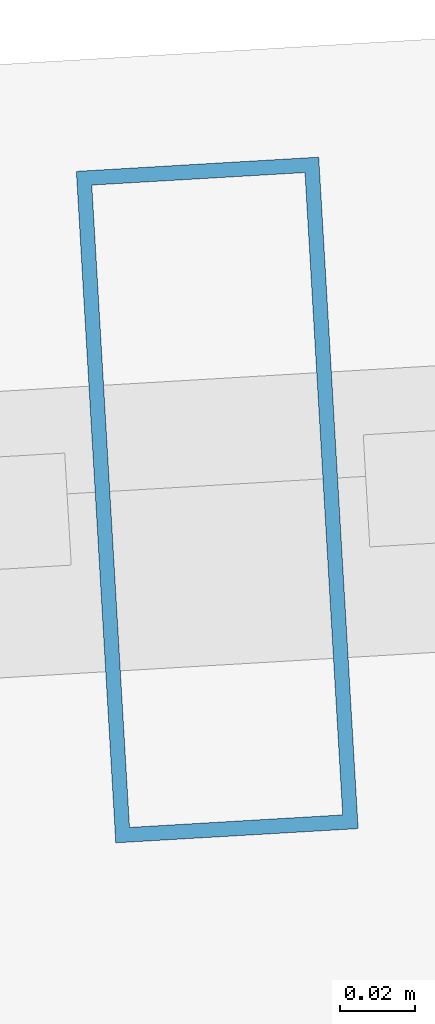
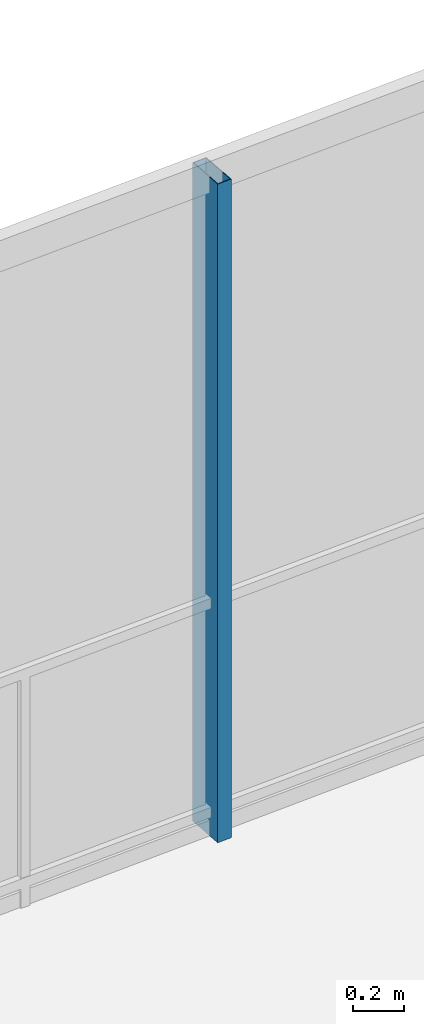
# One storey, part 19 of 30: 1 member, 1 element without a shape of its own.
"""IFC4 building model written with IfcOpenShell, lengths in metres."""

from ifc_helpers import new_model, si_unit, direction, frame, origin, origin_2d, place, context, subcontext, project, spatial, hollow_rectangle, extrude, material, layer, layer_set, material_profile, profile_set, type_object, element, aggregate, save


model = new_model("IFC4")

# Units and contexts
model_context = context("Model", 3, precision=1e-05, world=origin(), true_north=direction((0.0, 1.0)))
body_context = subcontext(model_context, "Body", "Model", "MODEL_VIEW")
ifc_project = project(units=[si_unit("LENGTHUNIT", "METRE"), si_unit("AREAUNIT", "SQUARE_METRE"), si_unit("VOLUMEUNIT", "CUBIC_METRE"), si_unit("PLANEANGLEUNIT", "RADIAN"), si_unit("MASSUNIT", "GRAM", prefix="KILO")], contexts=[model_context])

# Site, building, storey
site_placement = place(None, origin())
site = spatial("IfcSite", under=ifc_project, at=site_placement, CompositionType="ELEMENT")
building_placement = place(site_placement, origin())
building = spatial("IfcBuilding", under=site, at=building_placement, Name="Qarnah Convention Tower", CompositionType="ELEMENT")
storey_placement = place(building_placement, frame((0.0, 0.0, 79.800048828125)))
storey = spatial("IfcBuildingStorey", under=building, at=storey_placement, Name="L20", CompositionType="ELEMENT", Elevation=79.800048828125)

# Curtain wall, member
ifc_material_1 = material(Name="Tempered Low-E dark glass", Category="glass")
ifc_layer = layer(ifc_material_1, 0.169921875)
ifc_layer_set = layer_set([ifc_layer], Name="Tempered Low-E dark glass")
curtain_wall_type = type_object("IfcCurtainWallType", Name="CWS-02", PredefinedType="NOTDEFINED", material=ifc_layer_set)
curtain_wall_placement = place(storey_placement, origin())
curtain_wall = element("IfcCurtainWall", 1, at=curtain_wall_placement, inside=storey, type_object=curtain_wall_type, Name="L20 unitised curtain wall CW-L20-F1", PredefinedType="NOTDEFINED")
ifc_material_2 = material(Name="Black anodised aluminium", Category="aluminium")
ifc_material_profile = material_profile(ifc_material_2, hollow_rectangle(XDim=0.06494140625, YDim=0.179931640625, WallThickness=0.00390625, at=origin_2d()), Name="MUL-65X180")
ifc_profile_set = profile_set([ifc_material_profile], Name="Black anodised aluminium")
member_type = type_object("IfcMemberType", Name="MUL-T2", PredefinedType="MULLION", material=ifc_profile_set)
member_placement = place(storey_placement, frame((33.698486328125, 44.025634765625, 0.0), z_axis=(0.0, 0.0, 1.0), x_axis=(0.998280582188, 0.058616373356, 0.0)))
member = element("IfcMember", 2, at=member_placement, type_object=member_type, Name="CW-L20-F1 mullion 3", PredefinedType="MULLION", context=body_context, shape_type="SweptSolid", body=[
    extrude(hollow_rectangle(XDim=0.06494140625, YDim=0.179931640625, WallThickness=0.00390625, at=origin_2d()), origin(), (0.0, 0.0, 1.0), 3.169921875),
])
aggregate(curtain_wall, [member])

save(model, "model.ifc")
